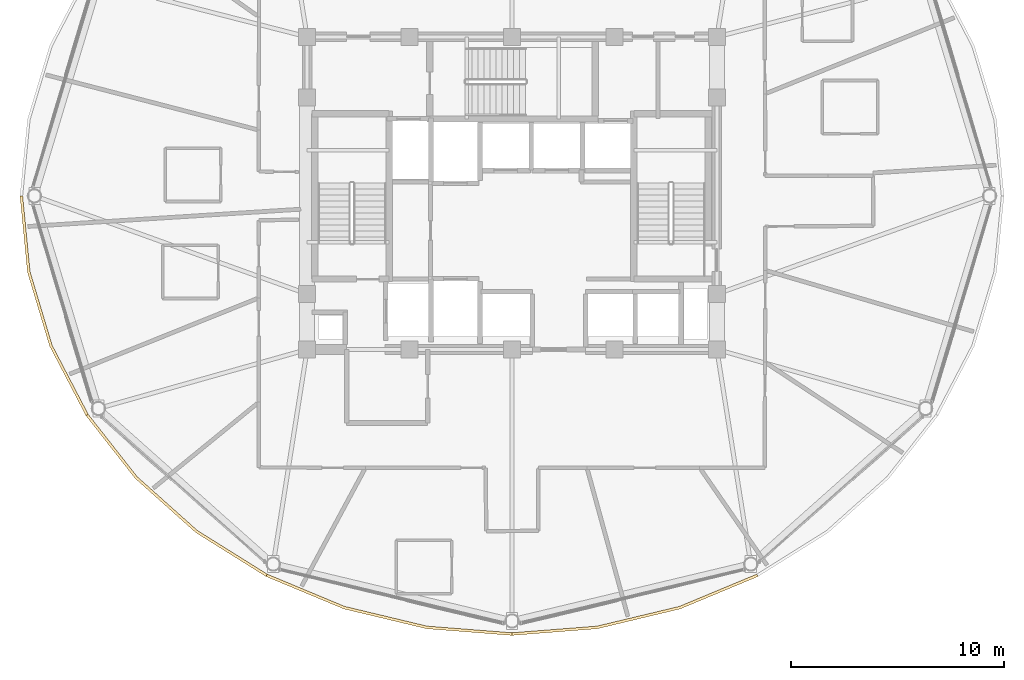
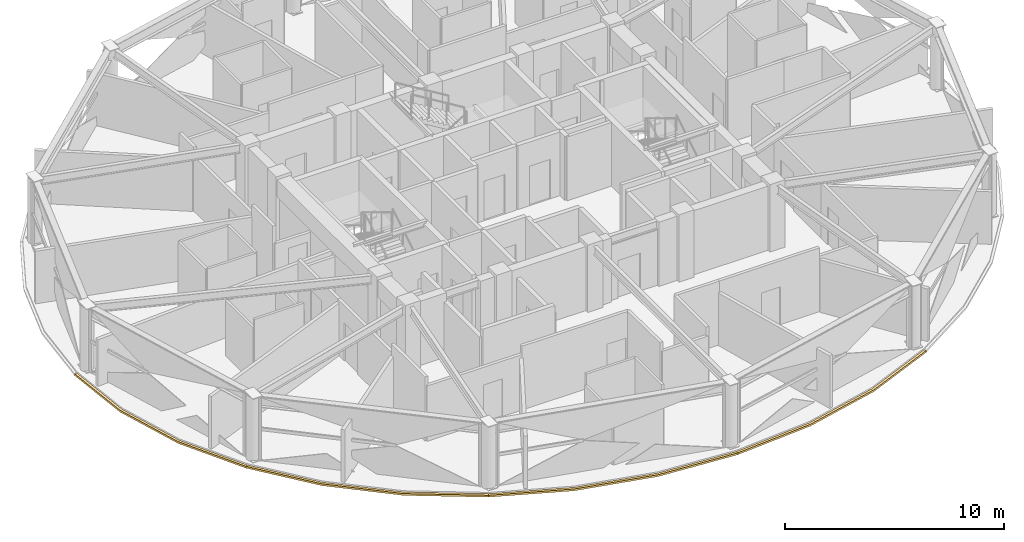
# One storey, part 27 of 30: 4 coverings.
"""IFC4 building model written with IfcOpenShell, lengths in metres."""

import ifcopenshell
import ifcopenshell.guid

model = None  # the IFC model being written
_history = None  # IfcOwnerHistory: only IFC2X3 demands one
_inside = {}  # id of a spatial element -> (the spatial element, [elements in it])
_under = {}  # id of a project, library or spatial element -> (it, [spatial elements below it])
_declared = {}  # id of a project -> (the project, [libraries it declares])
_typed = {}  # id of a type object -> (the type object, [elements of that type])
_made_of = {}  # id of a material, layer set ... -> (it, [elements and type objects made of it])


def new_model(schema):
    """Start an empty IFC model of exactly this schema.

    Asked for "IFC4X3", IfcOpenShell would pick the latest addendum, in which some entities
    have other attributes; the version numbers below select the first issue.
    IFC2X3 requires an IfcOwnerHistory on every rooted entity: one is made here for all.
    """
    global model, _history
    if schema == "IFC4X3":
        model = ifcopenshell.file(schema_version=(4, 3, 0, 0))
    else:
        model = ifcopenshell.file(schema=schema)
    _inside.clear()
    _under.clear()
    _declared.clear()
    _typed.clear()
    _made_of.clear()
    _history = None
    if model.schema == "IFC2X3":
        org = make("IfcOrganization", Name="unknown")
        user = make(
            "IfcPersonAndOrganization",
            ThePerson=make("IfcPerson", FamilyName="unknown"),
            TheOrganization=org,
        )
        app = make(
            "IfcApplication",
            ApplicationDeveloper=org,
            Version="unknown",
            ApplicationFullName="unknown",
            ApplicationIdentifier="unknown",
        )
        _history = make(
            "IfcOwnerHistory",
            OwningUser=user,
            OwningApplication=app,
            ChangeAction="ADDED",
            CreationDate=0,
        )
    return model


def make(cls, **values):
    """One entity of the class cls with the attributes given. An attribute that is None is left unset."""
    return model.create_entity(
        cls, **{name: value for name, value in values.items() if value is not None}
    )


def rooted(cls, **values):
    """An entity with a GlobalId (a new one), such as an element, a storey or a relation."""
    return make(cls, GlobalId=ifcopenshell.guid.new(), OwnerHistory=_history, **values)


def si_unit(unit_type, name, prefix=None):
    """IfcSIUnit, for example si_unit("LENGTHUNIT", "METRE", prefix="MILLI")."""
    return make("IfcSIUnit", UnitType=unit_type, Prefix=prefix, Name=name)


def assignment(units):
    """IfcUnitAssignment: the units of a project."""
    return None if units is None else make("IfcUnitAssignment", Units=units)


def point(xyz):
    """IfcCartesianPoint."""
    return None if xyz is None else make("IfcCartesianPoint", Coordinates=xyz)


def direction(xyz):
    """IfcDirection."""
    return None if xyz is None else make("IfcDirection", DirectionRatios=xyz)


def frame(location, z_axis=None, x_axis=None):
    """IfcAxis2Placement3D, a coordinate frame: its origin and axes. An axis left out is left unset."""
    return make(
        "IfcAxis2Placement3D",
        Location=point(location),
        Axis=direction(z_axis),
        RefDirection=direction(x_axis),
    )


def origin():
    """The frame at (0, 0, 0) with its axes left unset."""
    return frame((0.0, 0.0, 0.0))


def place(relative_to, where):
    """IfcLocalPlacement: puts the frame where relative to a parent placement (None: the world)."""
    return make(
        "IfcLocalPlacement", PlacementRelTo=relative_to, RelativePlacement=where
    )


def context(
    kind, dimensions, precision=None, world=None, true_north=None, identifier=None
):
    """IfcGeometricRepresentationContext, for example the 3D "Model" context."""
    return make(
        "IfcGeometricRepresentationContext",
        ContextIdentifier=identifier,
        ContextType=kind,
        CoordinateSpaceDimension=dimensions,
        Precision=precision,
        WorldCoordinateSystem=world,
        TrueNorth=true_north,
    )


def subcontext(parent, identifier, kind, view, scale=None):
    """IfcGeometricRepresentationSubContext, for example "Body" below "Model"."""
    return make(
        "IfcGeometricRepresentationSubContext",
        ContextIdentifier=identifier,
        ContextType=kind,
        ParentContext=parent,
        TargetScale=scale,
        TargetView=view,
    )


def project(units=None, contexts=None):
    """IfcProject with its units and contexts."""
    return rooted(
        "IfcProject",
        Name="project",
        RepresentationContexts=contexts,
        UnitsInContext=assignment(units),
    )


def spatial(cls, under=None, at=None, **own):
    """A site, building, storey or space (cls), placed at a placement, below another one or the project."""
    s = rooted(cls, ObjectPlacement=at, **own)
    if under is not None:
        _under.setdefault(under.id(), (under, []))[1].append(s)
    return s


def polyline(points):
    """IfcPolyline through the points."""
    return make("IfcPolyline", Points=[point(p) for p in points])


def outline(outer, holes=None, kind="AREA"):
    """IfcArbitraryClosedProfileDef: a profile drawn as a closed curve; with holes, ...WithVoids."""
    if holes is None:
        return make("IfcArbitraryClosedProfileDef", ProfileType=kind, OuterCurve=outer)
    return make(
        "IfcArbitraryProfileDefWithVoids",
        ProfileType=kind,
        OuterCurve=outer,
        InnerCurves=holes,
    )


def extrude(swept, where, along, depth):
    """IfcExtrudedAreaSolid: the profile swept, set in the frame where, extruded along a direction by depth."""
    return make(
        "IfcExtrudedAreaSolid",
        SweptArea=swept,
        Position=where,
        ExtrudedDirection=direction(along),
        Depth=depth,
    )


def shape(context_of_items, identifier, shape_type, items):
    """IfcShapeRepresentation: the items that make up one representation, for example the "Body"."""
    return make(
        "IfcShapeRepresentation",
        ContextOfItems=context_of_items,
        RepresentationIdentifier=identifier,
        RepresentationType=shape_type,
        Items=items,
    )


def material(Name=None, Category=None):
    """IfcMaterial."""
    return make("IfcMaterial", Name=Name, Category=Category)


def layer(
    of_material, thickness, ventilated=None, Name=None, Category=None, Priority=None
):
    """IfcMaterialLayer: one layer of a wall or slab, of a material (None: an air gap)."""
    return make(
        "IfcMaterialLayer",
        Material=of_material,
        LayerThickness=thickness,
        IsVentilated=ventilated,
        Name=Name,
        Category=Category,
        Priority=Priority,
    )


def layer_set(layers, Name=None):
    """IfcMaterialLayerSet."""
    return make("IfcMaterialLayerSet", MaterialLayers=layers, LayerSetName=Name)


def made_of(thing, what):
    """Note that an element or type object is made of a material, layer set ...; save() writes the relation."""
    if what is not None:
        _made_of.setdefault(what.id(), (what, []))[1].append(thing)
    return thing


def type_object(cls, material=None, **own):
    """A type object (cls), such as IfcWallType, which elements share."""
    return made_of(rooted(cls, **own), material)


def element(
    cls,
    number,
    at=None,
    inside=None,
    cuts=None,
    type_object=None,
    material=None,
    context=None,
    identifier="Body",
    shape_type=None,
    held_by="IfcProductDefinitionShape",
    body=None,
    shapes=None,
    **own,
):
    """One element of the class cls, such as IfcWall. Its Tag is "e" and its number.

    at: its placement. inside: the storey or other place that contains it. cuts: it is an
    opening in that element (IfcRelVoidsElement). A single representation is given by context,
    identifier, shape_type and body (its items); several are given by shapes. held_by: the class
    of the entity that holds the representations. save() writes the other relations.
    """
    e = rooted(cls, Tag="e%d" % number, ObjectPlacement=at, **own)
    if body is not None:
        shapes = [shape(context, identifier, shape_type, body)]
    if shapes is not None:
        e.Representation = make(held_by, Representations=shapes)
    if inside is not None:
        _inside.setdefault(inside.id(), (inside, []))[1].append(e)
    if cuts is not None:
        rooted(
            "IfcRelVoidsElement", RelatingBuildingElement=cuts, RelatedOpeningElement=e
        )
    if type_object is not None:
        _typed.setdefault(type_object.id(), (type_object, []))[1].append(e)
    return made_of(e, material)


def aggregate(whole, parts):
    """IfcRelAggregates: a whole, such as a stair, and the parts it consists of."""
    return rooted("IfcRelAggregates", RelatingObject=whole, RelatedObjects=parts)


def save(model, path):
    """Write the relations noted so far, then the file.

    IfcRelAggregates (storeys below a building ...), IfcRelContainedInSpatialStructure (elements
    in a storey), IfcRelDefinesByType, IfcRelAssociatesMaterial and IfcRelDeclares: one each for
    every whole, place, type object, material and project.
    """
    for whole, parts in _under.values():
        aggregate(whole, parts)
    for where, things in _inside.values():
        rooted(
            "IfcRelContainedInSpatialStructure",
            RelatedElements=things,
            RelatingStructure=where,
        )
    for kind, things in _typed.values():
        rooted("IfcRelDefinesByType", RelatedObjects=things, RelatingType=kind)
    for what, things in _made_of.values():
        rooted("IfcRelAssociatesMaterial", RelatedObjects=things, RelatingMaterial=what)
    for by, libraries in _declared.values():
        rooted("IfcRelDeclares", RelatingContext=by, RelatedDefinitions=libraries)
    model.write(path)


model = new_model("IFC4")

# Units and contexts
model_context = context("Model", 3, precision=1e-05, world=origin(), true_north=direction((0.0, 1.0)))
body_context = subcontext(model_context, "Body", "Model", "MODEL_VIEW")
ifc_project = project(units=[si_unit("LENGTHUNIT", "METRE"), si_unit("AREAUNIT", "SQUARE_METRE"), si_unit("VOLUMEUNIT", "CUBIC_METRE"), si_unit("PLANEANGLEUNIT", "RADIAN"), si_unit("MASSUNIT", "GRAM", prefix="KILO")], contexts=[model_context])

# Site, building, storey
site_placement = place(None, origin())
site = spatial("IfcSite", under=ifc_project, at=site_placement, CompositionType="ELEMENT")
building_placement = place(site_placement, origin())
building = spatial("IfcBuilding", under=site, at=building_placement, Name="Vantalir Tower", CompositionType="ELEMENT")
storey_placement = place(building_placement, frame((0.0, 0.0, 201.14990234375)))
storey = spatial("IfcBuildingStorey", under=building, at=storey_placement, Name="L50", CompositionType="ELEMENT", Elevation=201.14990234375)

# Coverings
ifc_material = material(Name="Anodised champagne aluminium sill fascia", Category="aluminium")
ifc_layer = layer(ifc_material, 0.125)
ifc_layer_set = layer_set([ifc_layer], Name="Anodised champagne aluminium sill fascia")
covering_type = type_object("IfcCoveringType", Name="COV-SLAB-FASCIA-125", PredefinedType="CLADDING", material=ifc_layer_set)
covering_1_placement = place(storey_placement, frame((0.0, 0.0, -0.179931640625)))
element("IfcCovering", 1, at=covering_1_placement, inside=storey, type_object=covering_type, Name="L50 Perimeter Slab-Edge Sill Fascia 07", PredefinedType="CLADDING", context=body_context, shape_type="SweptSolid", body=[
    extrude(outline(polyline([(8.443115234375, 25.0), (8.79296875, 21.423095703125), (9.833984375, 17.9541015625), (11.531982421875, 14.699951171875), (11.639892578125, 14.761962890625), (9.950927734375, 17.9970703125), (8.916015625, 21.445068359375), (8.568115234375, 25.0), (8.443115234375, 25.0)])), origin(), (0.0, 0.0, 1.0), 0.10498046875),
])
covering_2_placement = place(storey_placement, frame((0.0, 0.0, -0.179931640625)))
element("IfcCovering", 2, at=covering_2_placement, inside=storey, type_object=covering_type, Name="L50 Perimeter Slab-Edge Sill Fascia 08", PredefinedType="CLADDING", context=body_context, shape_type="SweptSolid", body=[
    extrude(outline(polyline([(11.531982421875, 14.699951171875), (13.8369140625, 11.759033203125), (16.678955078125, 9.218994140625), (19.970947265625, 7.159912109375), (20.033935546875, 7.26806640625), (16.760009765625, 9.31494140625), (13.93310546875, 11.839111328125), (11.639892578125, 14.761962890625), (11.531982421875, 14.699951171875)])), origin(), (0.0, 0.0, 1.0), 0.10498046875),
])
covering_3_placement = place(storey_placement, frame((0.0, 0.0, -0.179931640625)))
element("IfcCovering", 3, at=covering_3_placement, inside=storey, type_object=covering_type, Name="L50 Perimeter Slab-Edge Sill Fascia 09", PredefinedType="CLADDING", context=body_context, shape_type="SweptSolid", body=[
    extrude(outline(polyline([(19.970947265625, 7.159912109375), (23.614013671875, 5.64208984375), (27.49609375, 4.712890625), (31.5, 4.39990234375), (31.5, 4.52490234375), (27.51806640625, 4.8359375), (23.656982421875, 5.760009765625), (20.033935546875, 7.26806640625), (19.970947265625, 7.159912109375)])), origin(), (0.0, 0.0, 1.0), 0.10498046875),
])
covering_4_placement = place(storey_placement, frame((0.0, 0.0, -0.179931640625)))
element("IfcCovering", 4, at=covering_4_placement, inside=storey, type_object=covering_type, Name="L50 Perimeter Slab-Edge Sill Fascia 10", PredefinedType="CLADDING", context=body_context, shape_type="SweptSolid", body=[
    extrude(outline(polyline([(31.5, 4.39990234375), (35.50390625, 4.712890625), (39.385986328125, 5.64208984375), (43.029052734375, 7.159912109375), (42.966064453125, 7.26806640625), (39.343017578125, 5.760009765625), (35.48193359375, 4.8359375), (31.5, 4.52490234375), (31.5, 4.39990234375)])), origin(), (0.0, 0.0, 1.0), 0.10498046875),
])

save(model, "model.ifc")
